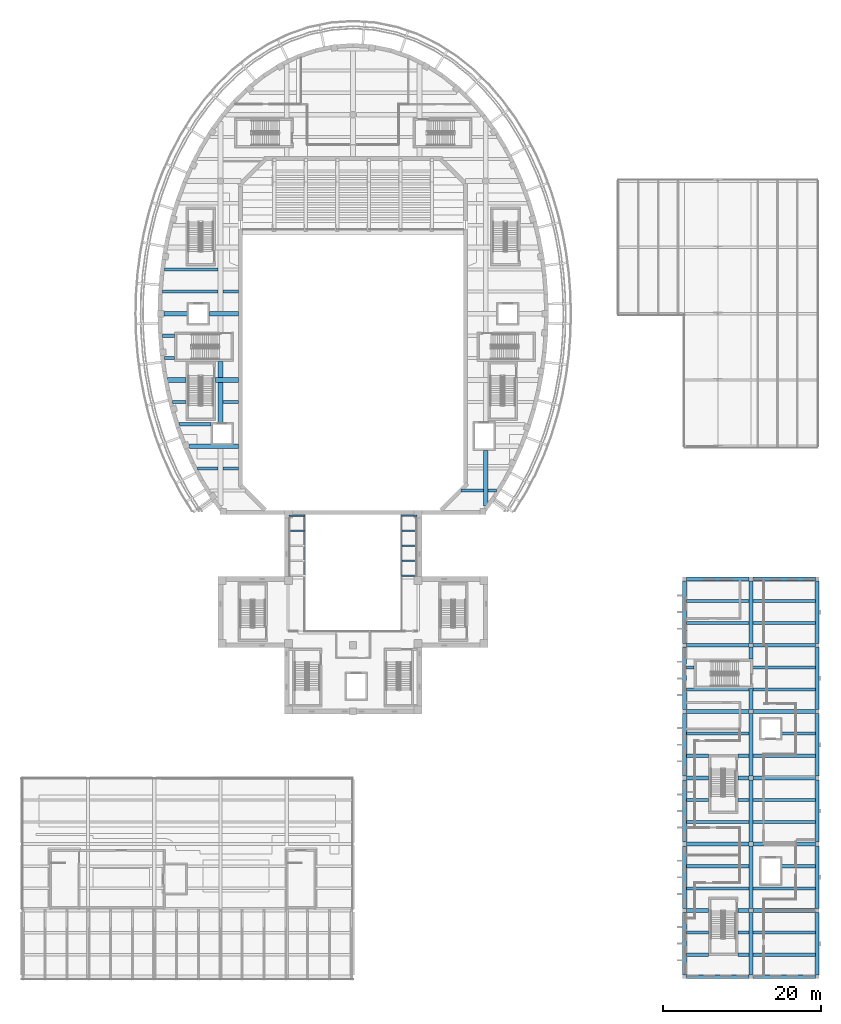
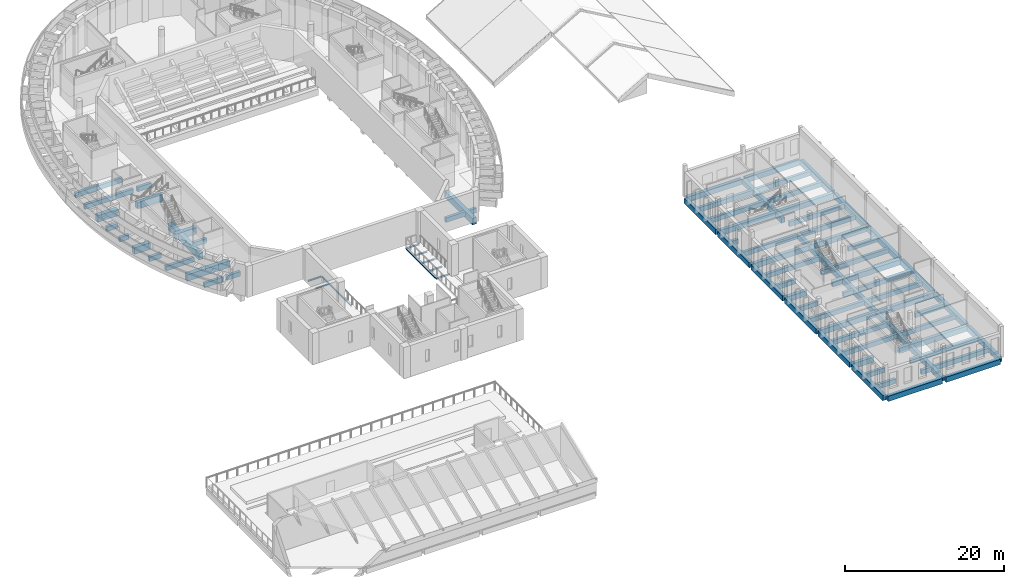
# One storey, part 2 of 37: 91 beams.
"""IFC4 building model written with IfcOpenShell, lengths in metres."""

from ifc_helpers import new_model, si_unit, direction, frame, origin, origin_2d, place, context, subcontext, project, spatial, rectangle, i_section, extrude, material, material_profile, profile_set, type_object, element, save


model = new_model("IFC4")

# Units and contexts
model_context = context("Model", 3, precision=1e-05, world=origin(), true_north=direction((0.0, 1.0)))
body_context = subcontext(model_context, "Body", "Model", "MODEL_VIEW")
ifc_project = project(units=[si_unit("LENGTHUNIT", "METRE"), si_unit("AREAUNIT", "SQUARE_METRE"), si_unit("VOLUMEUNIT", "CUBIC_METRE"), si_unit("PLANEANGLEUNIT", "RADIAN"), si_unit("MASSUNIT", "GRAM", prefix="KILO")], contexts=[model_context])

# Site, building, storey
site_placement = place(None, origin())
site = spatial("IfcSite", under=ifc_project, at=site_placement, CompositionType="ELEMENT")
building_placement = place(site_placement, origin())
building = spatial("IfcBuilding", under=site, at=building_placement, Name="Larchfold Concert Hall", CompositionType="ELEMENT")
storey_placement = place(building_placement, frame((0.0, 0.0, 19.199951171875)))
storey = spatial("IfcBuildingStorey", under=building, at=storey_placement, Name="L04", CompositionType="ELEMENT", Elevation=19.199951171875)

# Beams
ifc_material_1 = material(Name="Concrete C35/45", Category="concrete")
ifc_material_profile_1 = material_profile(ifc_material_1, rectangle(XDim=0.39990234375, YDim=0.699951171875, at=origin_2d()))
ifc_profile_set_1 = profile_set([ifc_material_profile_1], Name="Concrete C35/45")
beam_type_1 = type_object("IfcBeamType", Name="Beam RC 400x700", PredefinedType="BEAM", material=ifc_profile_set_1)
beam_1_placement = place(storey_placement, frame((84.85009765625, 3.39990234375, -0.510009765625), z_axis=(1.0, 0.0, 0.0), x_axis=(0.0, 1.0, 0.0)))
element("IfcBeam", 1, at=beam_1_placement, inside=storey, type_object=beam_type_1, Name="Beam B0765", PredefinedType="BEAM", context=body_context, shape_type="SweptSolid", body=[
    extrude(rectangle(XDim=0.39990234375, YDim=0.699951171875, at=origin_2d()), origin(), (0.0, 0.0, 1.0), 2.7998046875),
])
beam_2_placement = place(storey_placement, frame((91.35009765625, 3.39990234375, -0.510009765625), z_axis=(1.0, 0.0, 0.0), x_axis=(0.0, 1.0, 0.0)))
element("IfcBeam", 2, at=beam_2_placement, inside=storey, type_object=beam_type_1, Name="Beam B0766", PredefinedType="BEAM", context=body_context, shape_type="SweptSolid", body=[
    extrude(rectangle(XDim=0.39990234375, YDim=0.699951171875, at=origin_2d()), origin(), (0.0, 0.0, 1.0), 1.39990234375),
])
beam_3_placement = place(storey_placement, frame((93.25, 3.39990234375, -0.510009765625), z_axis=(1.0, 0.0, 0.0), x_axis=(0.0, 1.0, 0.0)))
element("IfcBeam", 3, at=beam_3_placement, inside=storey, type_object=beam_type_1, Name="Beam B0767", PredefinedType="BEAM", context=body_context, shape_type="SweptSolid", body=[
    extrude(rectangle(XDim=0.39990234375, YDim=0.699951171875, at=origin_2d()), origin(), (0.0, 0.0, 1.0), 7.89990234375),
])
beam_4_placement = place(storey_placement, frame((84.85009765625, 6.199951171875, -0.510009765625), z_axis=(1.0, 0.0, 0.0), x_axis=(0.0, 1.0, 0.0)))
element("IfcBeam", 4, at=beam_4_placement, inside=storey, type_object=beam_type_1, Name="Beam B0768", PredefinedType="BEAM", context=body_context, shape_type="SweptSolid", body=[
    extrude(rectangle(XDim=0.39990234375, YDim=0.699951171875, at=origin_2d()), origin(), (0.0, 0.0, 1.0), 2.7998046875),
])
beam_5_placement = place(storey_placement, frame((91.35009765625, 6.199951171875, -0.510009765625), z_axis=(1.0, 0.0, 0.0), x_axis=(0.0, 1.0, 0.0)))
element("IfcBeam", 5, at=beam_5_placement, inside=storey, type_object=beam_type_1, Name="Beam B0769", PredefinedType="BEAM", context=body_context, shape_type="SweptSolid", body=[
    extrude(rectangle(XDim=0.39990234375, YDim=0.699951171875, at=origin_2d()), origin(), (0.0, 0.0, 1.0), 1.39990234375),
])
for number, where, z_axis, x_axis, name in (
    (6, (93.25, 6.199951171875, -0.510009765625), (1.0, 0.0, 0.0), (0.0, 1.0, 0.0), "Beam B0770"),
    (7, (84.85009765625, 11.800048828125, -0.510009765625), (1.0, 0.0, 0.0), (0.0, 1.0, 0.0), "Beam B0771"),
    (8, (93.25, 11.800048828125, -0.510009765625), (1.0, 0.0, 0.0), (0.0, 1.0, 0.0), "Beam B0772"),
    (9, (84.85009765625, 14.60009765625, -0.510009765625), (1.0, 0.0, 0.0), (0.0, 1.0, 0.0), "Beam B0773"),
):
    element("IfcBeam", number, at=place(storey_placement, frame(where, z_axis=z_axis, x_axis=x_axis)), inside=storey, type_object=beam_type_1, Name=name, PredefinedType="BEAM", context=body_context, shape_type="SweptSolid", body=[
        extrude(rectangle(XDim=0.39990234375, YDim=0.699951171875, at=origin_2d()), origin(), (0.0, 0.0, 1.0), 7.89990234375),
    ])
beam_6_placement = place(storey_placement, frame((96.89990234375, 14.60009765625, -0.510009765625), z_axis=(1.0, 0.0, 0.0), x_axis=(0.0, 1.0, 0.0)))
element("IfcBeam", 10, at=beam_6_placement, inside=storey, type_object=beam_type_1, Name="Beam B0774", PredefinedType="BEAM", context=body_context, shape_type="SweptSolid", body=[
    extrude(rectangle(XDim=0.39990234375, YDim=0.699951171875, at=origin_2d()), origin(), (0.0, 0.0, 1.0), 4.25),
])
for number, where, z_axis, x_axis, name in (
    (11, (84.85009765625, 20.199951171875, -0.510009765625), (1.0, 0.0, 0.0), (0.0, 1.0, 0.0), "Beam B0775"),
    (12, (93.25, 20.199951171875, -0.510009765625), (1.0, 0.0, 0.0), (0.0, 1.0, 0.0), "Beam B0776"),
):
    element("IfcBeam", number, at=place(storey_placement, frame(where, z_axis=z_axis, x_axis=x_axis)), inside=storey, type_object=beam_type_1, Name=name, PredefinedType="BEAM", context=body_context, shape_type="SweptSolid", body=[
        extrude(rectangle(XDim=0.39990234375, YDim=0.699951171875, at=origin_2d()), origin(), (0.0, 0.0, 1.0), 7.89990234375),
    ])
beam_7_placement = place(storey_placement, frame((84.85009765625, 23.0, -0.510009765625), z_axis=(1.0, 0.0, 0.0), x_axis=(0.0, 1.0, 0.0)))
element("IfcBeam", 13, at=beam_7_placement, inside=storey, type_object=beam_type_1, Name="Beam B0777", PredefinedType="BEAM", context=body_context, shape_type="SweptSolid", body=[
    extrude(rectangle(XDim=0.39990234375, YDim=0.699951171875, at=origin_2d()), origin(), (0.0, 0.0, 1.0), 2.7998046875),
])
beam_8_placement = place(storey_placement, frame((91.35009765625, 23.0, -0.510009765625), z_axis=(1.0, 0.0, 0.0), x_axis=(0.0, 1.0, 0.0)))
element("IfcBeam", 14, at=beam_8_placement, inside=storey, type_object=beam_type_1, Name="Beam B0778", PredefinedType="BEAM", context=body_context, shape_type="SweptSolid", body=[
    extrude(rectangle(XDim=0.39990234375, YDim=0.699951171875, at=origin_2d()), origin(), (0.0, 0.0, 1.0), 1.39990234375),
])
beam_9_placement = place(storey_placement, frame((93.25, 23.0, -0.510009765625), z_axis=(1.0, 0.0, 0.0), x_axis=(0.0, 1.0, 0.0)))
element("IfcBeam", 15, at=beam_9_placement, inside=storey, type_object=beam_type_1, Name="Beam B0779", PredefinedType="BEAM", context=body_context, shape_type="SweptSolid", body=[
    extrude(rectangle(XDim=0.39990234375, YDim=0.699951171875, at=origin_2d()), origin(), (0.0, 0.0, 1.0), 7.89990234375),
])
beam_10_placement = place(storey_placement, frame((84.85009765625, 28.60009765625, -0.510009765625), z_axis=(1.0, 0.0, 0.0), x_axis=(0.0, 1.0, 0.0)))
element("IfcBeam", 16, at=beam_10_placement, inside=storey, type_object=beam_type_1, Name="Beam B0780", PredefinedType="BEAM", context=body_context, shape_type="SweptSolid", body=[
    extrude(rectangle(XDim=0.39990234375, YDim=0.699951171875, at=origin_2d()), origin(), (0.0, 0.0, 1.0), 2.7998046875),
])
beam_11_placement = place(storey_placement, frame((91.35009765625, 28.60009765625, -0.510009765625), z_axis=(1.0, 0.0, 0.0), x_axis=(0.0, 1.0, 0.0)))
element("IfcBeam", 17, at=beam_11_placement, inside=storey, type_object=beam_type_1, Name="Beam B0781", PredefinedType="BEAM", context=body_context, shape_type="SweptSolid", body=[
    extrude(rectangle(XDim=0.39990234375, YDim=0.699951171875, at=origin_2d()), origin(), (0.0, 0.0, 1.0), 1.39990234375),
])
for number, where, z_axis, x_axis, name in (
    (18, (93.25, 28.60009765625, -0.510009765625), (1.0, 0.0, 0.0), (0.0, 1.0, 0.0), "Beam B0782"),
    (19, (84.85009765625, 31.39990234375, -0.510009765625), (1.0, 0.0, 0.0), (0.0, 1.0, 0.0), "Beam B0783"),
):
    element("IfcBeam", number, at=place(storey_placement, frame(where, z_axis=z_axis, x_axis=x_axis)), inside=storey, type_object=beam_type_1, Name=name, PredefinedType="BEAM", context=body_context, shape_type="SweptSolid", body=[
        extrude(rectangle(XDim=0.39990234375, YDim=0.699951171875, at=origin_2d()), origin(), (0.0, 0.0, 1.0), 7.89990234375),
    ])
beam_12_placement = place(storey_placement, frame((96.89990234375, 31.39990234375, -0.510009765625), z_axis=(1.0, 0.0, 0.0), x_axis=(0.0, 1.0, 0.0)))
element("IfcBeam", 20, at=beam_12_placement, inside=storey, type_object=beam_type_1, Name="Beam B0784", PredefinedType="BEAM", context=body_context, shape_type="SweptSolid", body=[
    extrude(rectangle(XDim=0.39990234375, YDim=0.699951171875, at=origin_2d()), origin(), (0.0, 0.0, 1.0), 4.25),
])
for number, where, z_axis, x_axis, name in (
    (21, (84.85009765625, 37.0, -0.510009765625), (1.0, 0.0, 0.0), (0.0, 1.0, 0.0), "Beam B0785"),
    (22, (93.25, 37.0, -0.510009765625), (1.0, 0.0, 0.0), (0.0, 1.0, 0.0), "Beam B0786"),
):
    element("IfcBeam", number, at=place(storey_placement, frame(where, z_axis=z_axis, x_axis=x_axis)), inside=storey, type_object=beam_type_1, Name=name, PredefinedType="BEAM", context=body_context, shape_type="SweptSolid", body=[
        extrude(rectangle(XDim=0.39990234375, YDim=0.699951171875, at=origin_2d()), origin(), (0.0, 0.0, 1.0), 7.89990234375),
    ])
beam_13_placement = place(storey_placement, frame((84.85009765625, 39.800048828125, -0.510009765625), z_axis=(1.0, 0.0, 0.0), x_axis=(0.0, 1.0, 0.0)))
element("IfcBeam", 23, at=beam_13_placement, inside=storey, type_object=beam_type_1, Name="Beam B0787", PredefinedType="BEAM", context=body_context, shape_type="SweptSolid", body=[
    extrude(rectangle(XDim=0.39990234375, YDim=0.699951171875, at=origin_2d()), origin(), (0.0, 0.0, 1.0), 0.949951171875),
])
beam_14_placement = place(storey_placement, frame((93.199951171875, 39.800048828125, -0.510009765625), z_axis=(1.0, 0.0, 0.0), x_axis=(0.0, 1.0, 0.0)))
element("IfcBeam", 24, at=beam_14_placement, inside=storey, type_object=beam_type_1, Name="Beam B0788", PredefinedType="BEAM", context=body_context, shape_type="SweptSolid", body=[
    extrude(rectangle(XDim=0.39990234375, YDim=0.699951171875, at=origin_2d()), origin(), (0.0, 0.0, 1.0), 7.949951171875),
])
for number, where, z_axis, x_axis, name in (
    (25, (84.85009765625, 45.39990234375, -0.510009765625), (1.0, 0.0, 0.0), (0.0, 1.0, 0.0), "Beam B0789"),
    (26, (93.25, 45.39990234375, -0.510009765625), (1.0, 0.0, 0.0), (0.0, 1.0, 0.0), "Beam B0790"),
    (27, (84.85009765625, 48.199951171875, -0.510009765625), (1.0, 0.0, 0.0), (0.0, 1.0, 0.0), "Beam B0791"),
    (28, (93.25, 48.199951171875, -0.510009765625), (1.0, 0.0, 0.0), (0.0, 1.0, 0.0), "Beam B0792"),
):
    element("IfcBeam", number, at=place(storey_placement, frame(where, z_axis=z_axis, x_axis=x_axis)), inside=storey, type_object=beam_type_1, Name=name, PredefinedType="BEAM", context=body_context, shape_type="SweptSolid", body=[
        extrude(rectangle(XDim=0.39990234375, YDim=0.699951171875, at=origin_2d()), origin(), (0.0, 0.0, 1.0), 7.89990234375),
    ])
beam_15_placement = place(storey_placement, frame((56.26416015625, 62.199951171875, -0.550048828125), z_axis=(1.0, 0.0, 0.0), x_axis=(0.0, 1.0, 0.0)))
element("IfcBeam", 29, at=beam_15_placement, inside=storey, type_object=beam_type_1, Name="Beam B1473", PredefinedType="BEAM", context=body_context, shape_type="SweptSolid", body=[
    extrude(rectangle(XDim=0.39990234375, YDim=0.699951171875, at=origin_2d()), origin(), (0.0, 0.0, 1.0), 2.8359375),
])
beam_16_placement = place(storey_placement, frame((59.699951171875, 62.199951171875, -0.550048828125), z_axis=(1.0, 0.0, 0.0), x_axis=(0.0, 1.0, 0.0)))
element("IfcBeam", 30, at=beam_16_placement, inside=storey, type_object=beam_type_1, Name="Beam B1474", PredefinedType="BEAM", context=body_context, shape_type="SweptSolid", body=[
    extrude(rectangle(XDim=0.39990234375, YDim=0.699951171875, at=origin_2d()), origin(), (0.0, 0.0, 1.0), 1.03515625),
])
beam_17_placement = place(storey_placement, frame((22.860107421875, 65.0, -0.550048828125), z_axis=(1.0, 0.0, 0.0), x_axis=(0.0, 1.0, 0.0)))
element("IfcBeam", 31, at=beam_17_placement, inside=storey, type_object=beam_type_1, Name="Beam B1475", PredefinedType="BEAM", context=body_context, shape_type="SweptSolid", body=[
    extrude(rectangle(XDim=0.39990234375, YDim=0.699951171875, at=origin_2d()), origin(), (0.0, 0.0, 1.0), 2.639892578125),
])
beam_18_placement = place(storey_placement, frame((26.10009765625, 65.0, -0.550048828125), z_axis=(1.0, 0.0, 0.0), x_axis=(0.0, 1.0, 0.0)))
element("IfcBeam", 32, at=beam_18_placement, inside=storey, type_object=beam_type_1, Name="Beam B1476", PredefinedType="BEAM", context=body_context, shape_type="SweptSolid", body=[
    extrude(rectangle(XDim=0.39990234375, YDim=0.699951171875, at=origin_2d()), origin(), (0.0, 0.0, 1.0), 1.989990234375),
])
beam_19_placement = place(storey_placement, frame((20.525634765625, 70.60009765625, -0.550048828125), z_axis=(1.0, 0.0, 0.0), x_axis=(0.0, 1.0, 0.0)))
element("IfcBeam", 33, at=beam_19_placement, inside=storey, type_object=beam_type_1, Name="Beam B1479", PredefinedType="BEAM", context=body_context, shape_type="SweptSolid", body=[
    extrude(rectangle(XDim=0.39990234375, YDim=0.699951171875, at=origin_2d()), origin(), (0.0, 0.0, 1.0), 4.074462890625),
])
beam_20_placement = place(storey_placement, frame((19.72119140625, 73.39990234375, -0.550048828125), z_axis=(1.0, 0.0, 0.0), x_axis=(0.0, 1.0, 0.0)))
element("IfcBeam", 34, at=beam_20_placement, inside=storey, type_object=beam_type_1, Name="Beam B1481", PredefinedType="BEAM", context=body_context, shape_type="SweptSolid", body=[
    extrude(rectangle(XDim=0.39990234375, YDim=0.699951171875, at=origin_2d()), origin(), (0.0, 0.0, 1.0), 1.728759765625),
])
beam_21_placement = place(storey_placement, frame((26.10009765625, 73.39990234375, -0.550048828125), z_axis=(1.0, 0.0, 0.0), x_axis=(0.0, 1.0, 0.0)))
element("IfcBeam", 35, at=beam_21_placement, inside=storey, type_object=beam_type_1, Name="Beam B1482", PredefinedType="BEAM", context=body_context, shape_type="SweptSolid", body=[
    extrude(rectangle(XDim=0.39990234375, YDim=0.699951171875, at=origin_2d()), origin(), (0.0, 0.0, 1.0), 1.989990234375),
])
beam_22_placement = place(storey_placement, frame((18.68017578125, 79.0, -0.550048828125), z_axis=(1.0, 0.0, 0.0), x_axis=(0.0, 1.0, 0.0)))
element("IfcBeam", 36, at=beam_22_placement, inside=storey, type_object=beam_type_1, Name="Beam B1485", PredefinedType="BEAM", context=body_context, shape_type="SweptSolid", body=[
    extrude(rectangle(XDim=0.39990234375, YDim=0.699951171875, at=origin_2d()), origin(), (0.0, 0.0, 1.0), 1.31982421875),
])
beam_23_placement = place(storey_placement, frame((18.421875, 81.800048828125, -0.550048828125), z_axis=(1.0, 0.0, 0.0), x_axis=(0.0, 1.0, 0.0)))
element("IfcBeam", 37, at=beam_23_placement, inside=storey, type_object=beam_type_1, Name="Beam B1487", PredefinedType="BEAM", context=body_context, shape_type="SweptSolid", body=[
    extrude(rectangle(XDim=0.39990234375, YDim=0.699951171875, at=origin_2d()), origin(), (0.0, 0.0, 1.0), 1.578125),
])
beam_24_placement = place(storey_placement, frame((18.422119140625, 87.39990234375, -0.550048828125), z_axis=(1.0, 0.0, 0.0), x_axis=(0.0, 1.0, 0.0)))
element("IfcBeam", 38, at=beam_24_placement, inside=storey, type_object=beam_type_1, Name="Beam B1489", PredefinedType="BEAM", context=body_context, shape_type="SweptSolid", body=[
    extrude(rectangle(XDim=0.39990234375, YDim=0.699951171875, at=origin_2d()), origin(), (0.0, 0.0, 1.0), 7.077880859375),
])
beam_25_placement = place(storey_placement, frame((26.10009765625, 87.39990234375, -0.550048828125), z_axis=(1.0, 0.0, 0.0), x_axis=(0.0, 1.0, 0.0)))
element("IfcBeam", 39, at=beam_25_placement, inside=storey, type_object=beam_type_1, Name="Beam B1490", PredefinedType="BEAM", context=body_context, shape_type="SweptSolid", body=[
    extrude(rectangle(XDim=0.39990234375, YDim=0.699951171875, at=origin_2d()), origin(), (0.0, 0.0, 1.0), 1.989990234375),
])
beam_26_placement = place(storey_placement, frame((18.680419921875, 90.199951171875, -0.550048828125), z_axis=(1.0, 0.0, 0.0), x_axis=(0.0, 1.0, 0.0)))
element("IfcBeam", 40, at=beam_26_placement, inside=storey, type_object=beam_type_1, Name="Beam B1493", PredefinedType="BEAM", context=body_context, shape_type="SweptSolid", body=[
    extrude(rectangle(XDim=0.39990234375, YDim=0.699951171875, at=origin_2d()), origin(), (0.0, 0.0, 1.0), 6.819580078125),
])
ifc_material_2 = material(Name="Concrete C35/45", Category="concrete")
ifc_material_profile_2 = material_profile(ifc_material_2, rectangle(XDim=0.5, YDim=0.800048828125, at=origin_2d()))
ifc_profile_set_2 = profile_set([ifc_material_profile_2], Name="Concrete C35/45")
beam_type_2 = type_object("IfcBeamType", Name="Beam RC 500x800", PredefinedType="BEAM", material=ifc_profile_set_2)
for number, where, z_axis, x_axis, name in (
    (41, (84.60009765625, 0.85009765625, -0.56005859375), (0.0, 1.0, 0.0), (-1.0, 0.0, 0.0), "Beam B0730"),
    (42, (84.60009765625, 9.25, -0.56005859375), (0.0, 1.0, 0.0), (-1.0, 0.0, 0.0), "Beam B0731"),
):
    element("IfcBeam", number, at=place(storey_placement, frame(where, z_axis=z_axis, x_axis=x_axis)), inside=storey, type_object=beam_type_2, Name=name, PredefinedType="BEAM", context=body_context, shape_type="SweptSolid", body=[
        extrude(rectangle(XDim=0.5, YDim=0.800048828125, at=origin_2d()), origin(), (0.0, 0.0, 1.0), 7.89990234375),
    ])
beam_27_placement = place(storey_placement, frame((84.60009765625, 17.64990234375, -0.56005859375), z_axis=(0.0, 1.0, 0.0), x_axis=(-1.0, 0.0, 0.0)))
element("IfcBeam", 43, at=beam_27_placement, inside=storey, type_object=beam_type_2, Name="Beam B0732", PredefinedType="BEAM", context=body_context, shape_type="SweptSolid", body=[
    extrude(rectangle(XDim=0.5, YDim=0.800048828125, at=origin_2d()), origin(), (0.0, 0.0, 1.0), 7.900146484375),
])
beam_28_placement = place(storey_placement, frame((84.60009765625, 26.050048828125, -0.56005859375), z_axis=(0.0, 1.0, 0.0), x_axis=(-1.0, 0.0, 0.0)))
element("IfcBeam", 44, at=beam_28_placement, inside=storey, type_object=beam_type_2, Name="Beam B0733", PredefinedType="BEAM", context=body_context, shape_type="SweptSolid", body=[
    extrude(rectangle(XDim=0.5, YDim=0.800048828125, at=origin_2d()), origin(), (0.0, 0.0, 1.0), 7.89990234375),
])
beam_29_placement = place(storey_placement, frame((84.60009765625, 34.449951171875, -0.56005859375), z_axis=(0.0, 1.0, 0.0), x_axis=(-1.0, 0.0, 0.0)))
element("IfcBeam", 45, at=beam_29_placement, inside=storey, type_object=beam_type_2, Name="Beam B0734", PredefinedType="BEAM", context=body_context, shape_type="SweptSolid", body=[
    extrude(rectangle(XDim=0.5, YDim=0.800048828125, at=origin_2d()), origin(), (0.0, 0.0, 1.0), 7.900146484375),
])
for number, where, z_axis, x_axis, name in (
    (46, (84.60009765625, 42.85009765625, -0.56005859375), (0.0, 1.0, 0.0), (-1.0, 0.0, 0.0), "Beam B0735"),
    (47, (93.0, 0.85009765625, -0.56005859375), (0.0, 1.0, 0.0), (-1.0, 0.0, 0.0), "Beam B0736"),
    (48, (93.0, 9.25, -0.56005859375), (0.0, 1.0, 0.0), (-1.0, 0.0, 0.0), "Beam B0737"),
):
    element("IfcBeam", number, at=place(storey_placement, frame(where, z_axis=z_axis, x_axis=x_axis)), inside=storey, type_object=beam_type_2, Name=name, PredefinedType="BEAM", context=body_context, shape_type="SweptSolid", body=[
        extrude(rectangle(XDim=0.5, YDim=0.800048828125, at=origin_2d()), origin(), (0.0, 0.0, 1.0), 7.89990234375),
    ])
beam_30_placement = place(storey_placement, frame((93.0, 17.64990234375, -0.56005859375), z_axis=(0.0, 1.0, 0.0), x_axis=(-1.0, 0.0, 0.0)))
element("IfcBeam", 49, at=beam_30_placement, inside=storey, type_object=beam_type_2, Name="Beam B0738", PredefinedType="BEAM", context=body_context, shape_type="SweptSolid", body=[
    extrude(rectangle(XDim=0.5, YDim=0.800048828125, at=origin_2d()), origin(), (0.0, 0.0, 1.0), 7.900146484375),
])
beam_31_placement = place(storey_placement, frame((93.0, 26.050048828125, -0.56005859375), z_axis=(0.0, 1.0, 0.0), x_axis=(-1.0, 0.0, 0.0)))
element("IfcBeam", 50, at=beam_31_placement, inside=storey, type_object=beam_type_2, Name="Beam B0739", PredefinedType="BEAM", context=body_context, shape_type="SweptSolid", body=[
    extrude(rectangle(XDim=0.5, YDim=0.800048828125, at=origin_2d()), origin(), (0.0, 0.0, 1.0), 7.89990234375),
])
beam_32_placement = place(storey_placement, frame((93.0, 34.449951171875, -0.56005859375), z_axis=(0.0, 1.0, 0.0), x_axis=(-1.0, 0.0, 0.0)))
element("IfcBeam", 51, at=beam_32_placement, inside=storey, type_object=beam_type_2, Name="Beam B0740", PredefinedType="BEAM", context=body_context, shape_type="SweptSolid", body=[
    extrude(rectangle(XDim=0.5, YDim=0.800048828125, at=origin_2d()), origin(), (0.0, 0.0, 1.0), 2.699951171875),
])
beam_33_placement = place(storey_placement, frame((93.0, 40.85009765625, -0.56005859375), z_axis=(0.0, 1.0, 0.0), x_axis=(-1.0, 0.0, 0.0)))
element("IfcBeam", 52, at=beam_33_placement, inside=storey, type_object=beam_type_2, Name="Beam B0741", PredefinedType="BEAM", context=body_context, shape_type="SweptSolid", body=[
    extrude(rectangle(XDim=0.5, YDim=0.800048828125, at=origin_2d()), origin(), (0.0, 0.0, 1.0), 1.5),
])
for number, where, z_axis, x_axis, name in (
    (53, (93.0, 42.85009765625, -0.56005859375), (0.0, 1.0, 0.0), (-1.0, 0.0, 0.0), "Beam B0742"),
    (54, (101.39990234375, 0.85009765625, -0.56005859375), (0.0, 1.0, 0.0), (-1.0, 0.0, 0.0), "Beam B0743"),
    (55, (101.39990234375, 9.25, -0.56005859375), (0.0, 1.0, 0.0), (-1.0, 0.0, 0.0), "Beam B0744"),
):
    element("IfcBeam", number, at=place(storey_placement, frame(where, z_axis=z_axis, x_axis=x_axis)), inside=storey, type_object=beam_type_2, Name=name, PredefinedType="BEAM", context=body_context, shape_type="SweptSolid", body=[
        extrude(rectangle(XDim=0.5, YDim=0.800048828125, at=origin_2d()), origin(), (0.0, 0.0, 1.0), 7.89990234375),
    ])
beam_34_placement = place(storey_placement, frame((101.39990234375, 17.64990234375, -0.56005859375), z_axis=(0.0, 1.0, 0.0), x_axis=(-1.0, 0.0, 0.0)))
element("IfcBeam", 56, at=beam_34_placement, inside=storey, type_object=beam_type_2, Name="Beam B0745", PredefinedType="BEAM", context=body_context, shape_type="SweptSolid", body=[
    extrude(rectangle(XDim=0.5, YDim=0.800048828125, at=origin_2d()), origin(), (0.0, 0.0, 1.0), 7.900146484375),
])
beam_35_placement = place(storey_placement, frame((101.39990234375, 26.050048828125, -0.56005859375), z_axis=(0.0, 1.0, 0.0), x_axis=(-1.0, 0.0, 0.0)))
element("IfcBeam", 57, at=beam_35_placement, inside=storey, type_object=beam_type_2, Name="Beam B0746", PredefinedType="BEAM", context=body_context, shape_type="SweptSolid", body=[
    extrude(rectangle(XDim=0.5, YDim=0.800048828125, at=origin_2d()), origin(), (0.0, 0.0, 1.0), 7.89990234375),
])
beam_36_placement = place(storey_placement, frame((101.39990234375, 34.449951171875, -0.56005859375), z_axis=(0.0, 1.0, 0.0), x_axis=(-1.0, 0.0, 0.0)))
element("IfcBeam", 58, at=beam_36_placement, inside=storey, type_object=beam_type_2, Name="Beam B0747", PredefinedType="BEAM", context=body_context, shape_type="SweptSolid", body=[
    extrude(rectangle(XDim=0.5, YDim=0.800048828125, at=origin_2d()), origin(), (0.0, 0.0, 1.0), 7.900146484375),
])
for number, where, z_axis, x_axis, name in (
    (59, (101.39990234375, 42.85009765625, -0.56005859375), (0.0, 1.0, 0.0), (-1.0, 0.0, 0.0), "Beam B0748"),
    (60, (84.85009765625, 0.60009765625, -0.56005859375), (1.0, 0.0, 0.0), (0.0, 1.0, 0.0), "Beam B0749"),
    (61, (93.25, 0.60009765625, -0.56005859375), (1.0, 0.0, 0.0), (0.0, 1.0, 0.0), "Beam B0750"),
):
    element("IfcBeam", number, at=place(storey_placement, frame(where, z_axis=z_axis, x_axis=x_axis)), inside=storey, type_object=beam_type_2, Name=name, PredefinedType="BEAM", context=body_context, shape_type="SweptSolid", body=[
        extrude(rectangle(XDim=0.5, YDim=0.800048828125, at=origin_2d()), origin(), (0.0, 0.0, 1.0), 7.89990234375),
    ])
beam_37_placement = place(storey_placement, frame((84.85009765625, 9.0, -0.56005859375), z_axis=(1.0, 0.0, 0.0), x_axis=(0.0, 1.0, 0.0)))
element("IfcBeam", 62, at=beam_37_placement, inside=storey, type_object=beam_type_2, Name="Beam B0751", PredefinedType="BEAM", context=body_context, shape_type="SweptSolid", body=[
    extrude(rectangle(XDim=0.5, YDim=0.800048828125, at=origin_2d()), origin(), (0.0, 0.0, 1.0), 2.7998046875),
])
beam_38_placement = place(storey_placement, frame((91.35009765625, 9.0, -0.56005859375), z_axis=(1.0, 0.0, 0.0), x_axis=(0.0, 1.0, 0.0)))
element("IfcBeam", 63, at=beam_38_placement, inside=storey, type_object=beam_type_2, Name="Beam B0752", PredefinedType="BEAM", context=body_context, shape_type="SweptSolid", body=[
    extrude(rectangle(XDim=0.5, YDim=0.800048828125, at=origin_2d()), origin(), (0.0, 0.0, 1.0), 1.39990234375),
])
for number, where, z_axis, x_axis, name in (
    (64, (93.25, 9.0, -0.56005859375), (1.0, 0.0, 0.0), (0.0, 1.0, 0.0), "Beam B0753"),
    (65, (84.85009765625, 17.39990234375, -0.56005859375), (1.0, 0.0, 0.0), (0.0, 1.0, 0.0), "Beam B0754"),
    (66, (93.25, 17.39990234375, -0.56005859375), (1.0, 0.0, 0.0), (0.0, 1.0, 0.0), "Beam B0755"),
):
    element("IfcBeam", number, at=place(storey_placement, frame(where, z_axis=z_axis, x_axis=x_axis)), inside=storey, type_object=beam_type_2, Name=name, PredefinedType="BEAM", context=body_context, shape_type="SweptSolid", body=[
        extrude(rectangle(XDim=0.5, YDim=0.800048828125, at=origin_2d()), origin(), (0.0, 0.0, 1.0), 7.89990234375),
    ])
beam_39_placement = place(storey_placement, frame((84.85009765625, 25.800048828125, -0.56005859375), z_axis=(1.0, 0.0, 0.0), x_axis=(0.0, 1.0, 0.0)))
element("IfcBeam", 67, at=beam_39_placement, inside=storey, type_object=beam_type_2, Name="Beam B0756", PredefinedType="BEAM", context=body_context, shape_type="SweptSolid", body=[
    extrude(rectangle(XDim=0.5, YDim=0.800048828125, at=origin_2d()), origin(), (0.0, 0.0, 1.0), 2.7998046875),
])
beam_40_placement = place(storey_placement, frame((91.35009765625, 25.800048828125, -0.56005859375), z_axis=(1.0, 0.0, 0.0), x_axis=(0.0, 1.0, 0.0)))
element("IfcBeam", 68, at=beam_40_placement, inside=storey, type_object=beam_type_2, Name="Beam B0757", PredefinedType="BEAM", context=body_context, shape_type="SweptSolid", body=[
    extrude(rectangle(XDim=0.5, YDim=0.800048828125, at=origin_2d()), origin(), (0.0, 0.0, 1.0), 1.39990234375),
])
for number, where, z_axis, x_axis, name in (
    (69, (93.25, 25.800048828125, -0.56005859375), (1.0, 0.0, 0.0), (0.0, 1.0, 0.0), "Beam B0758"),
    (70, (84.85009765625, 34.199951171875, -0.56005859375), (1.0, 0.0, 0.0), (0.0, 1.0, 0.0), "Beam B0759"),
    (71, (93.25, 34.199951171875, -0.56005859375), (1.0, 0.0, 0.0), (0.0, 1.0, 0.0), "Beam B0760"),
    (72, (84.85009765625, 42.60009765625, -0.56005859375), (1.0, 0.0, 0.0), (0.0, 1.0, 0.0), "Beam B0761"),
    (73, (93.25, 42.60009765625, -0.56005859375), (1.0, 0.0, 0.0), (0.0, 1.0, 0.0), "Beam B0762"),
    (74, (84.85009765625, 51.0, -0.56005859375), (1.0, 0.0, 0.0), (0.0, 1.0, 0.0), "Beam B0763"),
    (75, (93.25, 51.0, -0.56005859375), (1.0, 0.0, 0.0), (0.0, 1.0, 0.0), "Beam B0764"),
):
    element("IfcBeam", number, at=place(storey_placement, frame(where, z_axis=z_axis, x_axis=x_axis)), inside=storey, type_object=beam_type_2, Name=name, PredefinedType="BEAM", context=body_context, shape_type="SweptSolid", body=[
        extrude(rectangle(XDim=0.5, YDim=0.800048828125, at=origin_2d()), origin(), (0.0, 0.0, 1.0), 7.89990234375),
    ])
ifc_material_3 = material(Name="Concrete C35/45", Category="concrete")
ifc_material_profile_3 = material_profile(ifc_material_3, rectangle(XDim=0.60009765625, YDim=1.0, at=origin_2d()))
ifc_profile_set_3 = profile_set([ifc_material_profile_3], Name="Concrete C35/45")
beam_type_3 = type_object("IfcBeamType", Name="Beam RC 600x1000", PredefinedType="BEAM", material=ifc_profile_set_3)
beam_41_placement = place(storey_placement, frame((25.800048828125, 70.800048828125, -0.699951171875), z_axis=(0.0, 1.0, 0.0), x_axis=(-1.0, 0.0, 0.0)))
element("IfcBeam", 76, at=beam_41_placement, inside=storey, type_object=beam_type_3, Name="Beam B1437", PredefinedType="BEAM", context=body_context, shape_type="SweptSolid", body=[
    extrude(rectangle(XDim=0.60009765625, YDim=1.0, at=origin_2d()), origin(), (0.0, 0.0, 1.0), 7.75),
])
beam_42_placement = place(storey_placement, frame((59.39990234375, 60.27099609375, -0.699951171875), z_axis=(0.0, 1.0, 0.0), x_axis=(-1.0, 0.0, 0.0)))
element("IfcBeam", 77, at=beam_42_placement, inside=storey, type_object=beam_type_3, Name="Beam B1446", PredefinedType="BEAM", context=body_context, shape_type="SweptSolid", body=[
    extrude(rectangle(XDim=0.60009765625, YDim=1.0, at=origin_2d()), origin(), (0.0, 0.0, 1.0), 7.029052734375),
])
beam_43_placement = place(storey_placement, frame((21.893798828125, 67.800048828125, -0.699951171875), z_axis=(1.0, 0.0, 0.0), x_axis=(0.0, 1.0, 0.0)))
element("IfcBeam", 78, at=beam_43_placement, inside=storey, type_object=beam_type_3, Name="Beam B1450", PredefinedType="BEAM", context=body_context, shape_type="SweptSolid", body=[
    extrude(rectangle(XDim=0.60009765625, YDim=1.0, at=origin_2d()), origin(), (0.0, 0.0, 1.0), 6.1962890625),
])
beam_44_placement = place(storey_placement, frame((19.1103515625, 76.199951171875, -0.699951171875), z_axis=(1.0, 0.0, 0.0), x_axis=(0.0, 1.0, 0.0)))
element("IfcBeam", 79, at=beam_44_placement, inside=storey, type_object=beam_type_3, Name="Beam B1452", PredefinedType="BEAM", context=body_context, shape_type="SweptSolid", body=[
    extrude(rectangle(XDim=0.60009765625, YDim=1.0, at=origin_2d()), origin(), (0.0, 0.0, 1.0), 2.339599609375),
])
beam_45_placement = place(storey_placement, frame((25.14990234375, 76.199951171875, -0.699951171875), z_axis=(1.0, 0.0, 0.0), x_axis=(0.0, 1.0, 0.0)))
element("IfcBeam", 80, at=beam_45_placement, inside=storey, type_object=beam_type_3, Name="Beam B1453", PredefinedType="BEAM", context=body_context, shape_type="SweptSolid", body=[
    extrude(rectangle(XDim=0.60009765625, YDim=1.0, at=origin_2d()), origin(), (0.0, 0.0, 1.0), 2.940185546875),
])
beam_46_placement = place(storey_placement, frame((18.650146484375, 84.60009765625, -0.699951171875), z_axis=(1.0, 0.0, 0.0), x_axis=(0.0, 1.0, 0.0)))
element("IfcBeam", 81, at=beam_46_placement, inside=storey, type_object=beam_type_3, Name="Beam B1456", PredefinedType="BEAM", context=body_context, shape_type="SweptSolid", body=[
    extrude(rectangle(XDim=0.60009765625, YDim=1.0, at=origin_2d()), origin(), (0.0, 0.0, 1.0), 2.949951171875),
])
beam_47_placement = place(storey_placement, frame((24.39990234375, 84.60009765625, -0.699951171875), z_axis=(1.0, 0.0, 0.0), x_axis=(0.0, 1.0, 0.0)))
element("IfcBeam", 82, at=beam_47_placement, inside=storey, type_object=beam_type_3, Name="Beam B1457", PredefinedType="BEAM", context=body_context, shape_type="SweptSolid", body=[
    extrude(rectangle(XDim=0.60009765625, YDim=1.0, at=origin_2d()), origin(), (0.0, 0.0, 1.0), 3.690185546875),
])
ifc_material_4 = material(Name="Steel S355", Category="steel")
ifc_material_profile_4 = material_profile(ifc_material_4, i_section(OverallWidth=0.159912109375, OverallDepth=0.152099609375, WebThickness=0.006103515625, FlangeThickness=0.009033203125, FilletRadius=0.014892578125, at=origin_2d()))
ifc_profile_set_4 = profile_set([ifc_material_profile_4], Name="Steel S355")
beam_type_4 = type_object("IfcBeamType", Name="Steel beam HEA 160", PredefinedType="BEAM", material=ifc_profile_set_4)
for number, where, z_axis, x_axis, name in (
    (83, (36.5, 51.5, -0.35595703125), (0.0, 1.0, 0.0), (-1.0, 0.0, 0.0), "Beam GLW4F"),
    (84, (48.699951171875, 51.5, -0.35595703125), (0.0, 1.0, 0.0), (-1.0, 0.0, 0.0), "Beam GLE4F"),
):
    element("IfcBeam", number, at=place(storey_placement, frame(where, z_axis=z_axis, x_axis=x_axis)), inside=storey, type_object=beam_type_4, Name=name, PredefinedType="BEAM", context=body_context, shape_type="SweptSolid", body=[
        extrude(i_section(OverallWidth=0.159912109375, OverallDepth=0.152099609375, WebThickness=0.006103515625, FlangeThickness=0.009033203125, FilletRadius=0.014892578125, at=origin_2d()), origin(), (0.0, 0.0, 1.0), 7.39990234375),
    ])
ifc_material_5 = material(Name="Steel S355", Category="steel")
ifc_material_profile_5 = material_profile(ifc_material_5, i_section(OverallWidth=0.199951171875, OverallDepth=0.199951171875, WebThickness=0.009033203125, FlangeThickness=0.014892578125, FilletRadius=0.01806640625, at=origin_2d()))
ifc_profile_set_5 = profile_set([ifc_material_profile_5], Name="Steel S355")
beam_type_5 = type_object("IfcBeamType", Name="Steel beam HEB 200", PredefinedType="BEAM", material=ifc_profile_set_5)
beam_48_placement = place(storey_placement, frame((34.5, 57.10009765625, -0.3798828125), z_axis=(1.0, 0.0, 0.0), x_axis=(0.0, 1.0, 0.0)))
element("IfcBeam", 85, at=beam_48_placement, inside=storey, type_object=beam_type_5, Name="Beam GLW44", PredefinedType="BEAM", context=body_context, shape_type="SweptSolid", body=[
    extrude(i_section(OverallWidth=0.199951171875, OverallDepth=0.199951171875, WebThickness=0.009033203125, FlangeThickness=0.014892578125, FilletRadius=0.01806640625, at=origin_2d()), origin(), (0.0, 0.0, 1.0), 1.919921875),
])
for number, where, z_axis, x_axis, name in (
    (86, (34.5, 59.0, -0.3798828125), (1.0, 0.0, 0.0), (0.0, 1.0, 0.0), "Beam GLW45"),
    (87, (50.699951171875, 51.39990234375, -0.3798828125), (-1.0, 0.0, 0.0), (0.0, -1.0, 0.0), "Beam GLE41"),
):
    element("IfcBeam", number, at=place(storey_placement, frame(where, z_axis=z_axis, x_axis=x_axis)), inside=storey, type_object=beam_type_5, Name=name, PredefinedType="BEAM", context=body_context, shape_type="SweptSolid", body=[
        extrude(i_section(OverallWidth=0.199951171875, OverallDepth=0.199951171875, WebThickness=0.009033203125, FlangeThickness=0.014892578125, FilletRadius=0.01806640625, at=origin_2d()), origin(), (0.0, 0.0, 1.0), 2.0),
    ])
for number, where, z_axis, x_axis, name in (
    (88, (50.699951171875, 53.300048828125, -0.3798828125), (-1.0, 0.0, 0.0), (0.0, -1.0, 0.0), "Beam GLE42"),
    (89, (50.699951171875, 55.199951171875, -0.3798828125), (-1.0, 0.0, 0.0), (0.0, -1.0, 0.0), "Beam GLE43"),
    (90, (50.699951171875, 57.10009765625, -0.3798828125), (-1.0, 0.0, 0.0), (0.0, -1.0, 0.0), "Beam GLE44"),
):
    element("IfcBeam", number, at=place(storey_placement, frame(where, z_axis=z_axis, x_axis=x_axis)), inside=storey, type_object=beam_type_5, Name=name, PredefinedType="BEAM", context=body_context, shape_type="SweptSolid", body=[
        extrude(i_section(OverallWidth=0.199951171875, OverallDepth=0.199951171875, WebThickness=0.009033203125, FlangeThickness=0.014892578125, FilletRadius=0.01806640625, at=origin_2d()), origin(), (0.0, 0.0, 1.0), 1.919921875),
    ])
beam_49_placement = place(storey_placement, frame((50.699951171875, 59.0, -0.3798828125), z_axis=(-1.0, 0.0, 0.0), x_axis=(0.0, -1.0, 0.0)))
element("IfcBeam", 91, at=beam_49_placement, inside=storey, type_object=beam_type_5, Name="Beam GLE45", PredefinedType="BEAM", context=body_context, shape_type="SweptSolid", body=[
    extrude(i_section(OverallWidth=0.199951171875, OverallDepth=0.199951171875, WebThickness=0.009033203125, FlangeThickness=0.014892578125, FilletRadius=0.01806640625, at=origin_2d()), origin(), (0.0, 0.0, 1.0), 2.0),
])

save(model, "model.ifc")
